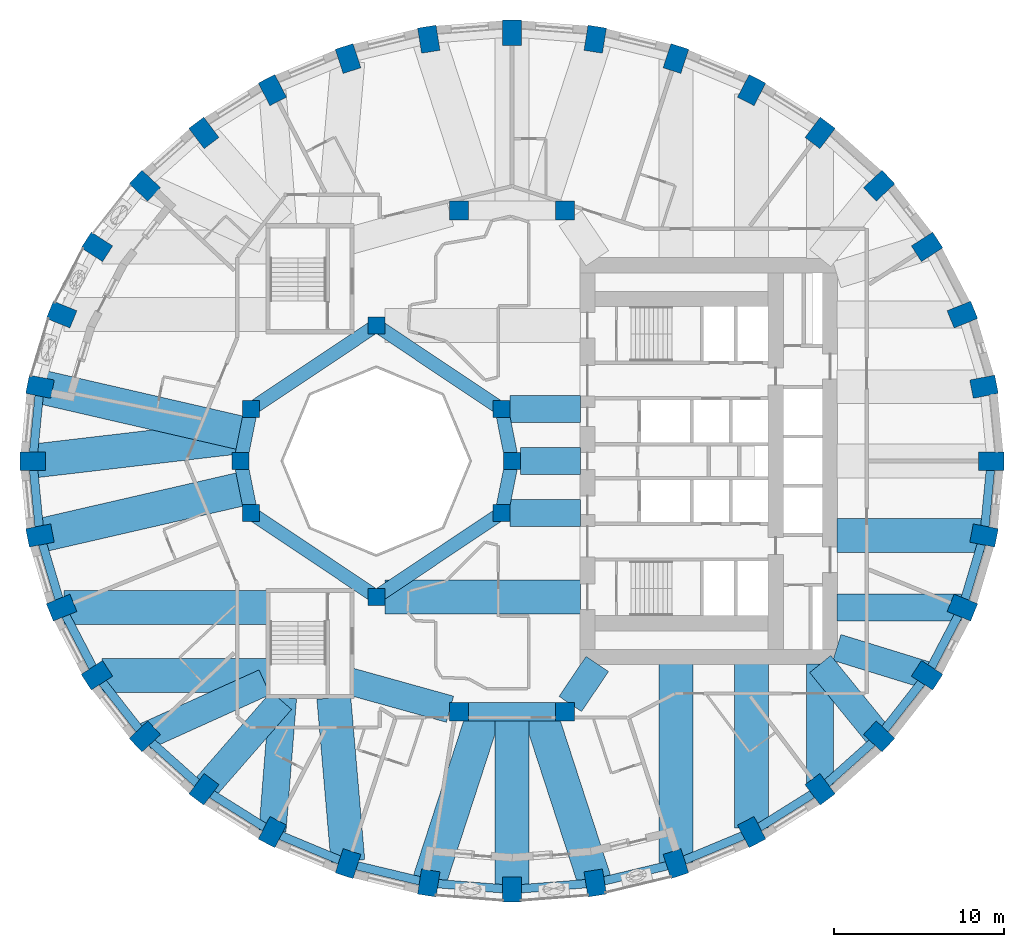
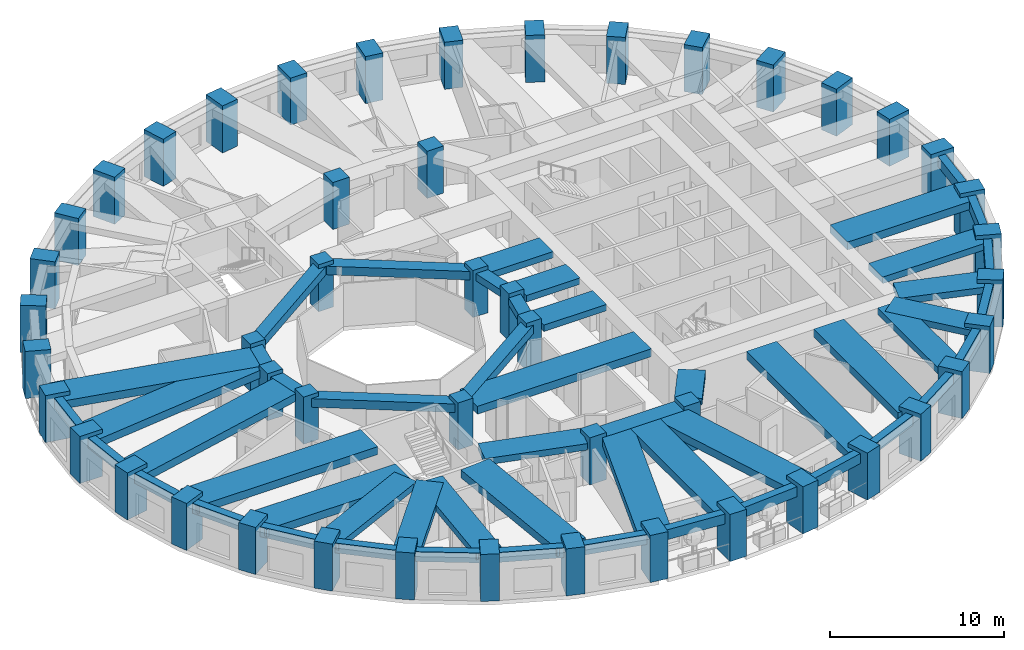
# One storey, part 1 of 13: 53 beams, 48 columns.
"""IFC4 building model written with IfcOpenShell, lengths in metres."""

from ifc_helpers import new_model, si_unit, direction, frame, origin, origin_2d, place, context, subcontext, project, spatial, rectangle, extrude, material, material_profile, profile_set, type_object, element, save


model = new_model("IFC4")

# Units and contexts
model_context = context("Model", 3, precision=1e-05, world=origin(), true_north=direction((0.0, 1.0)))
body_context = subcontext(model_context, "Body", "Model", "MODEL_VIEW")
ifc_project = project(units=[si_unit("LENGTHUNIT", "METRE"), si_unit("AREAUNIT", "SQUARE_METRE"), si_unit("VOLUMEUNIT", "CUBIC_METRE"), si_unit("PLANEANGLEUNIT", "RADIAN"), si_unit("MASSUNIT", "GRAM", prefix="KILO")], contexts=[model_context])

# Site, building, storey
site_placement = place(None, origin())
site = spatial("IfcSite", under=ifc_project, at=site_placement, CompositionType="ELEMENT")
building_placement = place(site_placement, origin())
building = spatial("IfcBuilding", under=site, at=building_placement, Name="Taillehof Tower", CompositionType="ELEMENT")
storey_placement = place(building_placement, frame((0.0, 0.0, 77.800048828125)))
storey = spatial("IfcBuildingStorey", under=building, at=storey_placement, Name="L21", CompositionType="ELEMENT", Elevation=77.800048828125)

# Columns
ifc_material_1 = material(Name="Concrete C50/60", Category="concrete")
ifc_material_profile_1 = material_profile(ifc_material_1, rectangle(XDim=1.0, YDim=1.0, at=origin_2d()), Name="RC 1000x1000")
ifc_profile_set_1 = profile_set([ifc_material_profile_1], Name="Concrete C50/60")
column_type_1 = type_object("IfcColumnType", Name="Atrium ring column C50/60 1000x1000", PredefinedType="COLUMN", material=ifc_profile_set_1)
for number, where, z_axis, x_axis, name in (
    (1, (0.0, 0.0, 0.0), (0.0, 0.0, 1.0), (1.0, 0.0, 0.0), "Column AC01"),
    (2, (-0.60888671875, 3.0615234375, 0.0), (0.0, 0.0, 1.0), (1.0, 0.0, 0.0), "Column AC02"),
    (3, (-8.0, 8.0, 0.0), (0.0, 0.0, 1.0), (1.0, 0.0, 0.0), "Column AC05"),
    (4, (-15.39111328125, 3.0615234375, 0.0), (0.0, 0.0, 1.0), (1.0, 0.0, 0.0), "Column AC08"),
    (5, (-16.0, 0.0, 0.0), (0.0, 0.0, 1.0), (1.0, 0.0, 0.0), "Column AC09"),
    (6, (-15.39111328125, -3.0615234375, 0.0), (0.0, 0.0, 1.0), (1.0, 0.0, 0.0), "Column AC10"),
    (7, (-8.0, -8.0, 0.0), (0.0, 0.0, 1.0), (1.0, 0.0, 0.0), "Column AC13"),
    (8, (-0.60888671875, -3.0615234375, 0.0), (0.0, 0.0, 1.0), (1.0, 0.0, 0.0), "Column AC16"),
):
    element("IfcColumn", number, at=place(storey_placement, frame(where, z_axis=z_axis, x_axis=x_axis)), inside=storey, type_object=column_type_1, Name=name, PredefinedType="COLUMN", context=body_context, shape_type="SweptSolid", body=[
        extrude(rectangle(XDim=1.0, YDim=1.0, at=origin_2d()), origin(), (0.0, 0.0, 1.0), 3.300048828125),
    ])
ifc_material_2 = material(Name="Concrete C50/60", Category="concrete")
ifc_material_profile_2 = material_profile(ifc_material_2, rectangle(XDim=1.10009765625, YDim=1.10009765625, at=origin_2d()), Name="RC 1100x1100")
ifc_profile_set_2 = profile_set([ifc_material_profile_2], Name="Concrete C50/60")
column_type_2 = type_object("IfcColumnType", Name="Mid-ring column C50/60 1100x1100", PredefinedType="COLUMN", material=ifc_profile_set_2)
for number, where, z_axis, x_axis, name in (
    (9, (3.125732421875, 14.772216796875, 0.0), (0.0, 0.0, 1.0), (1.0, 0.0, 0.0), "Column MC05"),
    (10, (3.125732421875, -14.772216796875, 0.0), (0.0, 0.0, 1.0), (1.0, 0.0, 0.0), "Column MC15"),
):
    element("IfcColumn", number, at=place(storey_placement, frame(where, z_axis=z_axis, x_axis=x_axis)), inside=storey, type_object=column_type_2, Name=name, PredefinedType="COLUMN", context=body_context, shape_type="SweptSolid", body=[
        extrude(rectangle(XDim=1.10009765625, YDim=1.10009765625, at=origin_2d()), origin(), (0.0, 0.0, 1.0), 3.300048828125),
    ])
ifc_material_3 = material(Name="Concrete C60/75", Category="concrete")
ifc_material_profile_3 = material_profile(ifc_material_3, rectangle(XDim=1.10009765625, YDim=1.10009765625, at=origin_2d()), Name="RC 1100x1100")
ifc_profile_set_3 = profile_set([ifc_material_profile_3], Name="Concrete C60/75")
column_type_3 = type_object("IfcColumnType", Name="Mid-ring column C60/75 1100x1100", PredefinedType="COLUMN", material=ifc_profile_set_3)
for number, where, z_axis, x_axis, name in (
    (11, (-3.125732421875, 14.772216796875, 0.0), (0.0, 0.0, 1.0), (1.0, 0.0, 0.0), "Column MC06"),
    (12, (-3.125732421875, -14.772216796875, 0.0), (0.0, 0.0, 1.0), (1.0, 0.0, 0.0), "Column MC14"),
):
    element("IfcColumn", number, at=place(storey_placement, frame(where, z_axis=z_axis, x_axis=x_axis)), inside=storey, type_object=column_type_3, Name=name, PredefinedType="COLUMN", context=body_context, shape_type="SweptSolid", body=[
        extrude(rectangle(XDim=1.10009765625, YDim=1.10009765625, at=origin_2d()), origin(), (0.0, 0.0, 1.0), 3.300048828125),
    ])
ifc_material_4 = material(Name="Concrete C70/85", Category="concrete")
ifc_material_profile_4 = material_profile(ifc_material_4, rectangle(XDim=1.5, YDim=1.10009765625, at=origin_2d()), Name="RC 1500x1100")
ifc_profile_set_4 = profile_set([ifc_material_profile_4], Name="Concrete C70/85")
column_type_4 = type_object("IfcColumnType", Name="Ring column C70/85 1500x1100", PredefinedType="COLUMN", material=ifc_profile_set_4)
for number, where, z_axis, x_axis, name in (
    (13, (28.25, 0.0, 0.0), (0.0, 0.0, 1.0), (1.0, 0.0, 0.0), "Ring column RC01"),
    (14, (27.82080078125, 4.384521484375, 0.0), (0.0, 0.0, 1.0), (0.98120354895, 0.192975634545, 0.0), "Ring column RC02"),
    (15, (26.54638671875, 8.635986328125, 0.0), (0.0, 0.0, 1.0), (0.926558045297, 0.37615181602, 0.0), "Ring column RC03"),
    (16, (24.46533203125, 12.625, 0.0), (0.0, 0.0, 1.0), (0.840753565229, 0.541417992456, 0.0), "Ring column RC04"),
    (17, (21.640869140625, 16.23046875, 0.0), (0.0, 0.0, 1.0), (0.730113022917, 0.683326403535, 0.0), "Ring column RC05"),
    (18, (18.15869140625, 19.342529296875, 0.0), (0.0, 0.0, 1.0), (0.601173783055, 0.79911831575, 0.0), "Ring column RC06"),
    (19, (14.125, 21.8671875, 0.0), (0.0, 0.0, 1.0), (0.459691308511, 0.888078769524, 0.0), "Ring column RC07"),
    (20, (9.662109375, 23.727294921875, 0.0), (0.0, 0.0, 1.0), (0.310219183529, 0.950665060981, 0.0), "Ring column RC08"),
    (21, (4.905517578125, 24.866455078125, 0.0), (0.0, 0.0, 1.0), (0.15614709407, 0.987733812833, 0.0), "Ring column RC09"),
    (22, (0.0, 25.25, 0.0), (0.0, 0.0, 1.0), (0.0, 1.0, 0.0), "Ring column RC10"),
    (23, (-4.905517578125, 24.866455078125, 0.0), (0.0, 0.0, 1.0), (-0.15614709407, 0.987733812833, 0.0), "Ring column RC11"),
    (24, (-9.662109375, 23.727294921875, 0.0), (0.0, 0.0, 1.0), (-0.310219183529, 0.950665060981, 0.0), "Ring column RC12"),
    (25, (-14.125, 21.8671875, 0.0), (0.0, 0.0, 1.0), (-0.459691308511, 0.888078769524, 0.0), "Ring column RC13"),
    (26, (-18.15869140625, 19.342529296875, 0.0), (0.0, 0.0, 1.0), (-0.601173783055, 0.79911831575, 0.0), "Ring column RC14"),
    (27, (-21.640869140625, 16.23046875, 0.0), (0.0, 0.0, 1.0), (-0.730113022917, 0.683326403535, 0.0), "Ring column RC15"),
    (28, (-24.46533203125, 12.625, 0.0), (0.0, 0.0, 1.0), (-0.840753565229, 0.541417992456, 0.0), "Ring column RC16"),
    (29, (-26.54638671875, 8.635986328125, 0.0), (0.0, 0.0, 1.0), (-0.926558045297, 0.37615181602, 0.0), "Ring column RC17"),
    (30, (-27.82080078125, 4.384521484375, 0.0), (0.0, 0.0, 1.0), (-0.98120354895, 0.192975634545, 0.0), "Ring column RC18"),
    (31, (-28.25, 0.0, 0.0), (0.0, 0.0, 1.0), (-1.0, 0.0, 0.0), "Ring column RC19"),
    (32, (-27.82080078125, -4.384521484375, 0.0), (0.0, 0.0, 1.0), (-0.98120354895, -0.192975634545, 0.0), "Ring column RC20"),
    (33, (-26.54638671875, -8.635986328125, 0.0), (0.0, 0.0, 1.0), (-0.926558045297, -0.37615181602, 0.0), "Ring column RC21"),
    (34, (-24.46533203125, -12.625, 0.0), (0.0, 0.0, 1.0), (-0.840753565229, -0.541417992456, 0.0), "Ring column RC22"),
    (35, (-21.640869140625, -16.23046875, 0.0), (0.0, 0.0, 1.0), (-0.730113022917, -0.683326403535, 0.0), "Ring column RC23"),
    (36, (-18.15869140625, -19.342529296875, 0.0), (0.0, 0.0, 1.0), (-0.601173783055, -0.79911831575, 0.0), "Ring column RC24"),
    (37, (-14.125, -21.8671875, 0.0), (0.0, 0.0, 1.0), (-0.459691308511, -0.888078769524, 0.0), "Ring column RC25"),
    (38, (-9.662109375, -23.727294921875, 0.0), (0.0, 0.0, 1.0), (-0.310219183529, -0.950665060981, 0.0), "Ring column RC26"),
    (39, (-4.905517578125, -24.866455078125, 0.0), (0.0, 0.0, 1.0), (-0.15614709407, -0.987733812833, 0.0), "Ring column RC27"),
    (40, (0.0, -25.25, 0.0), (0.0, 0.0, 1.0), (0.0, -1.0, 0.0), "Ring column RC28"),
    (41, (4.905517578125, -24.866455078125, 0.0), (0.0, 0.0, 1.0), (0.15614709407, -0.987733812833, 0.0), "Ring column RC29"),
    (42, (9.662109375, -23.727294921875, 0.0), (0.0, 0.0, 1.0), (0.310219183529, -0.950665060981, 0.0), "Ring column RC30"),
    (43, (14.125, -21.8671875, 0.0), (0.0, 0.0, 1.0), (0.459691308511, -0.888078769524, 0.0), "Ring column RC31"),
    (44, (18.15869140625, -19.342529296875, 0.0), (0.0, 0.0, 1.0), (0.601173783055, -0.79911831575, 0.0), "Ring column RC32"),
    (45, (21.640869140625, -16.23046875, 0.0), (0.0, 0.0, 1.0), (0.730113022917, -0.683326403535, 0.0), "Ring column RC33"),
    (46, (24.46533203125, -12.625, 0.0), (0.0, 0.0, 1.0), (0.840753565229, -0.541417992456, 0.0), "Ring column RC34"),
    (47, (26.54638671875, -8.635986328125, 0.0), (0.0, 0.0, 1.0), (0.926558045297, -0.37615181602, 0.0), "Ring column RC35"),
    (48, (27.82080078125, -4.384521484375, 0.0), (0.0, 0.0, 1.0), (0.98120354895, -0.192975634545, 0.0), "Ring column RC36"),
):
    element("IfcColumn", number, at=place(storey_placement, frame(where, z_axis=z_axis, x_axis=x_axis)), inside=storey, type_object=column_type_4, Name=name, PredefinedType="COLUMN", context=body_context, shape_type="SweptSolid", body=[
        extrude(rectangle(XDim=1.5, YDim=1.10009765625, at=origin_2d()), origin(), (0.0, 0.0, 1.0), 3.300048828125),
    ])

# Beams
ifc_material_5 = material(Name="Concrete C50/60", Category="concrete")
ifc_material_profile_5 = material_profile(ifc_material_5, rectangle(XDim=0.800048828125, YDim=0.5, at=origin_2d()), Name="RC 800x500")
ifc_profile_set_5 = profile_set([ifc_material_profile_5], Name="Concrete C50/60")
beam_type_1 = type_object("IfcBeamType", Name="Atrium ring beam C50/60 800x500", PredefinedType="BEAM", material=ifc_profile_set_5)
for number, where, z_axis, x_axis, name in (
    (49, (0.0, 0.0, 2.77001953125), (-0.195063155143, 0.980790683839, 0.0), (-0.980790683839, -0.195063155143, 0.0), "Atrium ring beam AB01"),
    (50, (-15.39111328125, 3.0615234375, 2.77001953125), (-0.195063155143, -0.980790683839, 0.0), (0.980790683839, -0.195063155143, 0.0), "Atrium ring beam AB04"),
    (51, (-16.0, 0.0, 2.77001953125), (0.195063155143, -0.980790683839, 0.0), (0.980790683839, 0.195063155143, 0.0), "Atrium ring beam AB05"),
    (52, (-0.60888671875, -3.0615234375, 2.77001953125), (0.195063155143, 0.980790683839, 0.0), (-0.980790683839, 0.195063155143, 0.0), "Atrium ring beam AB08"),
):
    element("IfcBeam", number, at=place(storey_placement, frame(where, z_axis=z_axis, x_axis=x_axis)), inside=storey, type_object=beam_type_1, Name=name, PredefinedType="BEAM", context=body_context, shape_type="SweptSolid", body=[
        extrude(rectangle(XDim=0.800048828125, YDim=0.5, at=origin_2d()), origin(), (0.0, 0.0, 1.0), 3.12158203125),
    ])
ifc_material_6 = material(Name="Concrete C50/60", Category="concrete")
ifc_material_profile_6 = material_profile(ifc_material_6, rectangle(XDim=0.800048828125, YDim=0.60009765625, at=origin_2d()), Name="RC 800x600")
ifc_profile_set_6 = profile_set([ifc_material_profile_6], Name="Concrete C50/60")
beam_type_2 = type_object("IfcBeamType", Name="Atrium ring beam C50/60 800x600", PredefinedType="BEAM", material=ifc_profile_set_6)
for number, where, z_axis, x_axis, name in (
    (53, (-0.60888671875, 3.0615234375, 2.719970703125), (-0.831475195687, 0.555561876804, 0.0), (-0.555561876804, -0.831475195687, 0.0), "Atrium ring beam AB02"),
    (54, (-8.0, 8.0, 2.719970703125), (-0.831475195687, -0.555561876804, 0.0), (0.555561876804, -0.831475195687, 0.0), "Atrium ring beam AB03"),
    (55, (-15.39111328125, -3.0615234375, 2.719970703125), (0.831475195687, -0.555561876804, 0.0), (0.555561876804, 0.831475195687, 0.0), "Atrium ring beam AB06"),
    (56, (-8.0, -8.0, 2.719970703125), (0.831475195687, 0.555561876804, 0.0), (-0.555561876804, 0.831475195687, 0.0), "Atrium ring beam AB07"),
):
    element("IfcBeam", number, at=place(storey_placement, frame(where, z_axis=z_axis, x_axis=x_axis)), inside=storey, type_object=beam_type_2, Name=name, PredefinedType="BEAM", context=body_context, shape_type="SweptSolid", body=[
        extrude(rectangle(XDim=0.800048828125, YDim=0.60009765625, at=origin_2d()), origin(), (0.0, 0.0, 1.0), 8.88916015625),
    ])
ifc_material_7 = material(Name="Concrete C50/60", Category="concrete")
ifc_material_profile_7 = material_profile(ifc_material_7, rectangle(XDim=1.10009765625, YDim=0.60009765625, at=origin_2d()), Name="RC 1100x600")
ifc_profile_set_7 = profile_set([ifc_material_profile_7], Name="Concrete C50/60")
beam_type_3 = type_object("IfcBeamType", Name="Mid-ring beam C50/60 1100x600", PredefinedType="BEAM", material=ifc_profile_set_7)
beam_1_placement = place(storey_placement, frame((-3.125732421875, -14.772216796875, 2.719970703125), z_axis=(1.0, 0.0, 0.0), x_axis=(0.0, 1.0, 0.0)))
element("IfcBeam", 57, at=beam_1_placement, inside=storey, type_object=beam_type_3, Name="Mid-ring beam MB02", PredefinedType="BEAM", context=body_context, shape_type="SweptSolid", body=[
    extrude(rectangle(XDim=1.10009765625, YDim=0.60009765625, at=origin_2d()), origin(), (0.0, 0.0, 1.0), 6.25146484375),
])
ifc_material_8 = material(Name="Concrete C50/60", Category="concrete")
ifc_material_profile_8 = material_profile(ifc_material_8, rectangle(XDim=1.60009765625, YDim=0.449951171875, at=origin_2d()), Name="RC 1600x450")
ifc_profile_set_8 = profile_set([ifc_material_profile_8], Name="Concrete C50/60")
beam_type_4 = type_object("IfcBeamType", Name="Radial band beam C50/60 1600x450", PredefinedType="BEAM", material=ifc_profile_set_8)
beam_2_placement = place(storey_placement, frame((-21.632568359375, -16.226806640625, 2.794921875), z_axis=(0.911100590789, 0.412184077161, 0.0), x_axis=(-0.412184077161, 0.911100590789, 0.0)))
element("IfcBeam", 58, at=beam_2_placement, inside=storey, type_object=beam_type_4, Name="Radial band beam RB23", PredefinedType="BEAM", context=body_context, shape_type="SweptSolid", body=[
    extrude(rectangle(XDim=1.60009765625, YDim=0.449951171875, at=origin_2d()), origin(), (0.0, 0.0, 1.0), 7.740966796875),
])
beam_3_placement = place(storey_placement, frame((-18.15869140625, -19.342529296875, 2.794921875), z_axis=(0.65721824087, 0.753700327628, 0.0), x_axis=(-0.753700327628, 0.65721824087, 0.0)))
element("IfcBeam", 59, at=beam_3_placement, inside=storey, type_object=beam_type_4, Name="Radial band beam RB24", PredefinedType="BEAM", context=body_context, shape_type="SweptSolid", body=[
    extrude(rectangle(XDim=1.60009765625, YDim=0.449951171875, at=origin_2d()), origin(), (0.0, 0.0, 1.0), 6.9384765625),
])
beam_4_placement = place(storey_placement, frame((-14.119873046875, -21.802978515625, 2.794921875), z_axis=(0.079184740988, 0.996859958467, 0.0), x_axis=(-0.996859958467, 0.079184740988, 0.0)))
element("IfcBeam", 60, at=beam_4_placement, inside=storey, type_object=beam_type_4, Name="Radial band beam RB25", PredefinedType="BEAM", context=body_context, shape_type="SweptSolid", body=[
    extrude(rectangle(XDim=1.60009765625, YDim=0.449951171875, at=origin_2d()), origin(), (0.0, 0.0, 1.0), 7.87744140625),
])
beam_5_placement = place(storey_placement, frame((18.15869140625, -19.05517578125, 2.794921875), z_axis=(0.0, 1.0, 0.0), x_axis=(-1.0, 0.0, 0.0)))
element("IfcBeam", 61, at=beam_5_placement, inside=storey, type_object=beam_type_4, Name="Radial band beam RB32", PredefinedType="BEAM", context=body_context, shape_type="SweptSolid", body=[
    extrude(rectangle(XDim=1.60009765625, YDim=0.449951171875, at=origin_2d()), origin(), (0.0, 0.0, 1.0), 7.105224609375),
])
beam_6_placement = place(storey_placement, frame((21.640869140625, -16.23046875, 2.794921875), z_axis=(-0.630988373846, 0.775792286679, 0.0), x_axis=(-0.775792286679, -0.630988373846, 0.0)))
element("IfcBeam", 62, at=beam_6_placement, inside=storey, type_object=beam_type_4, Name="Radial band beam RB33", PredefinedType="BEAM", context=body_context, shape_type="SweptSolid", body=[
    extrude(rectangle(XDim=1.60009765625, YDim=0.449951171875, at=origin_2d()), origin(), (0.0, 0.0, 1.0), 5.503173828125),
])
beam_7_placement = place(storey_placement, frame((24.46533203125, -12.625, 2.794921875), z_axis=(-0.955535654338, 0.294875589511, 0.0), x_axis=(-0.294875589511, -0.955535654338, 0.0)))
element("IfcBeam", 63, at=beam_7_placement, inside=storey, type_object=beam_type_4, Name="Radial band beam RB34", PredefinedType="BEAM", context=body_context, shape_type="SweptSolid", body=[
    extrude(rectangle(XDim=1.60009765625, YDim=0.449951171875, at=origin_2d()), origin(), (0.0, 0.0, 1.0), 5.560546875),
])
beam_8_placement = place(storey_placement, frame((26.490478515625, -8.635986328125, 2.794921875), z_axis=(-1.0, 0.0, 0.0), x_axis=(0.0, -1.0, 0.0)))
element("IfcBeam", 64, at=beam_8_placement, inside=storey, type_object=beam_type_4, Name="Radial band beam RB35", PredefinedType="BEAM", context=body_context, shape_type="SweptSolid", body=[
    extrude(rectangle(XDim=1.60009765625, YDim=0.449951171875, at=origin_2d()), origin(), (0.0, 0.0, 1.0), 7.340576171875),
])
beam_9_placement = place(storey_placement, frame((0.5, 0.0, 2.794921875), z_axis=(1.0, 0.0, 0.0), x_axis=(0.0, 1.0, 0.0)))
element("IfcBeam", 65, at=beam_9_placement, inside=storey, type_object=beam_type_4, Name="Inner band beam IB101", PredefinedType="BEAM", context=body_context, shape_type="SweptSolid", body=[
    extrude(rectangle(XDim=1.60009765625, YDim=0.449951171875, at=origin_2d()), origin(), (0.0, 0.0, 1.0), 3.550048828125),
])
for number, where, z_axis, x_axis, name in (
    (66, (-0.10888671875, 3.0615234375, 2.794921875), (1.0, 0.0, 0.0), (0.0, 1.0, 0.0), "Inner band beam IB102"),
    (67, (-0.10888671875, -3.0615234375, 2.794921875), (1.0, 0.0, 0.0), (0.0, 1.0, 0.0), "Inner band beam IB116"),
):
    element("IfcBeam", number, at=place(storey_placement, frame(where, z_axis=z_axis, x_axis=x_axis)), inside=storey, type_object=beam_type_4, Name=name, PredefinedType="BEAM", context=body_context, shape_type="SweptSolid", body=[
        extrude(rectangle(XDim=1.60009765625, YDim=0.449951171875, at=origin_2d()), origin(), (0.0, 0.0, 1.0), 4.158935546875),
    ])
beam_10_placement = place(storey_placement, frame((-3.655517578125, -14.624755859375, 2.794921875), z_axis=(-0.963459369536, 0.267854518821, 0.0), x_axis=(-0.267854518821, -0.963459369536, 0.0)))
element("IfcBeam", 68, at=beam_10_placement, inside=storey, type_object=beam_type_4, Name="Inner band beam IB214", PredefinedType="BEAM", context=body_context, shape_type="SweptSolid", body=[
    extrude(rectangle(XDim=1.60009765625, YDim=0.449951171875, at=origin_2d()), origin(), (0.0, 0.0, 1.0), 6.096923828125),
])
beam_11_placement = place(storey_placement, frame((3.433837890625, -14.31640625, 2.794921875), z_axis=(0.560112043398, 0.828416862962, 0.0), x_axis=(-0.828416862962, 0.560112043398, 0.0)))
element("IfcBeam", 69, at=beam_11_placement, inside=storey, type_object=beam_type_4, Name="Inner band beam IB215", PredefinedType="BEAM", context=body_context, shape_type="SweptSolid", body=[
    extrude(rectangle(XDim=1.60009765625, YDim=0.449951171875, at=origin_2d()), origin(), (0.0, 0.0, 1.0), 2.84619140625),
])
ifc_material_9 = material(Name="Concrete C50/60", Category="concrete")
ifc_material_profile_9 = material_profile(ifc_material_9, rectangle(XDim=2.0, YDim=0.550048828125, at=origin_2d()), Name="RC 2000x550")
ifc_profile_set_9 = profile_set([ifc_material_profile_9], Name="Concrete C50/60")
beam_type_5 = type_object("IfcBeamType", Name="Radial band beam C50/60 2000x550", PredefinedType="BEAM", material=ifc_profile_set_9)
beam_12_placement = place(storey_placement, frame((-27.82080078125, 4.384521484375, 2.744873046875), z_axis=(0.974509005862, -0.2243483842, 0.0), x_axis=(0.2243483842, 0.974509005862, 0.0)))
element("IfcBeam", 70, at=beam_12_placement, inside=storey, type_object=beam_type_5, Name="Radial band beam RB18", PredefinedType="BEAM", context=body_context, shape_type="SweptSolid", body=[
    extrude(rectangle(XDim=2.0, YDim=0.550048828125, at=origin_2d()), origin(), (0.0, 0.0, 1.0), 12.45458984375),
])
beam_13_placement = place(storey_placement, frame((-28.25, 0.0, 2.744873046875), z_axis=(0.993191188018, 0.11649576835, 0.0), x_axis=(-0.11649576835, 0.993191188018, 0.0)))
element("IfcBeam", 71, at=beam_13_placement, inside=storey, type_object=beam_type_5, Name="Radial band beam RB19", PredefinedType="BEAM", context=body_context, shape_type="SweptSolid", body=[
    extrude(rectangle(XDim=2.0, YDim=0.550048828125, at=origin_2d()), origin(), (0.0, 0.0, 1.0), 12.628662109375),
])
beam_14_placement = place(storey_placement, frame((-27.82080078125, -4.384521484375, 2.744873046875), z_axis=(0.974509005862, 0.2243483842, 0.0), x_axis=(-0.2243483842, 0.974509005862, 0.0)))
element("IfcBeam", 72, at=beam_14_placement, inside=storey, type_object=beam_type_5, Name="Radial band beam RB20", PredefinedType="BEAM", context=body_context, shape_type="SweptSolid", body=[
    extrude(rectangle(XDim=2.0, YDim=0.550048828125, at=origin_2d()), origin(), (0.0, 0.0, 1.0), 12.45458984375),
])
beam_15_placement = place(storey_placement, frame((-26.408935546875, -8.635986328125, 2.744873046875), z_axis=(1.0, 0.0, 0.0), x_axis=(0.0, 1.0, 0.0)))
element("IfcBeam", 73, at=beam_15_placement, inside=storey, type_object=beam_type_5, Name="Radial band beam RB21", PredefinedType="BEAM", context=body_context, shape_type="SweptSolid", body=[
    extrude(rectangle(XDim=2.0, YDim=0.550048828125, at=origin_2d()), origin(), (0.0, 0.0, 1.0), 11.958984375),
])
beam_16_placement = place(storey_placement, frame((-24.172607421875, -12.625, 2.744873046875), z_axis=(1.0, 0.0, 0.0), x_axis=(0.0, 1.0, 0.0)))
element("IfcBeam", 74, at=beam_16_placement, inside=storey, type_object=beam_type_5, Name="Radial band beam RB22", PredefinedType="BEAM", context=body_context, shape_type="SweptSolid", body=[
    extrude(rectangle(XDim=2.0, YDim=0.550048828125, at=origin_2d()), origin(), (0.0, 0.0, 1.0), 9.72265625),
])
beam_17_placement = place(storey_placement, frame((-9.675048828125, -23.575927734375, 2.744873046875), z_axis=(-0.085841202752, 0.996308831593, 0.0), x_axis=(-0.996308831593, -0.085841202752, 0.0)))
element("IfcBeam", 75, at=beam_17_placement, inside=storey, type_object=beam_type_5, Name="Radial band beam RB26", PredefinedType="BEAM", context=body_context, shape_type="SweptSolid", body=[
    extrude(rectangle(XDim=2.0, YDim=0.550048828125, at=origin_2d()), origin(), (0.0, 0.0, 1.0), 9.661376953125),
])
beam_18_placement = place(storey_placement, frame((-4.905517578125, -24.866455078125, 2.744873046875), z_axis=(0.309014294595, 0.951057393503, 0.0), x_axis=(-0.951057393503, 0.309014294595, 0.0)))
element("IfcBeam", 76, at=beam_18_placement, inside=storey, type_object=beam_type_5, Name="Radial band beam RB27", PredefinedType="BEAM", context=body_context, shape_type="SweptSolid", body=[
    extrude(rectangle(XDim=2.0, YDim=0.550048828125, at=origin_2d()), origin(), (0.0, 0.0, 1.0), 10.61376953125),
])
beam_19_placement = place(storey_placement, frame((0.0, -25.25, 2.744873046875), z_axis=(0.0, 1.0, 0.0), x_axis=(-1.0, 0.0, 0.0)))
element("IfcBeam", 77, at=beam_19_placement, inside=storey, type_object=beam_type_5, Name="Radial band beam RB28", PredefinedType="BEAM", context=body_context, shape_type="SweptSolid", body=[
    extrude(rectangle(XDim=2.0, YDim=0.550048828125, at=origin_2d()), origin(), (0.0, 0.0, 1.0), 10.477783203125),
])
beam_20_placement = place(storey_placement, frame((4.905517578125, -24.866455078125, 2.744873046875), z_axis=(-0.309014294595, 0.951057393503, 0.0), x_axis=(-0.951057393503, -0.309014294595, 0.0)))
element("IfcBeam", 78, at=beam_20_placement, inside=storey, type_object=beam_type_5, Name="Radial band beam RB29", PredefinedType="BEAM", context=body_context, shape_type="SweptSolid", body=[
    extrude(rectangle(XDim=2.0, YDim=0.550048828125, at=origin_2d()), origin(), (0.0, 0.0, 1.0), 10.61376953125),
])
beam_21_placement = place(storey_placement, frame((9.662109375, -23.664794921875, 2.744873046875), z_axis=(0.0, 1.0, 0.0), x_axis=(-1.0, 0.0, 0.0)))
element("IfcBeam", 79, at=beam_21_placement, inside=storey, type_object=beam_type_5, Name="Radial band beam RB30", PredefinedType="BEAM", context=body_context, shape_type="SweptSolid", body=[
    extrude(rectangle(XDim=2.0, YDim=0.550048828125, at=origin_2d()), origin(), (0.0, 0.0, 1.0), 11.71484375),
])
beam_22_placement = place(storey_placement, frame((14.125, -21.63232421875, 2.744873046875), z_axis=(0.0, 1.0, 0.0), x_axis=(-1.0, 0.0, 0.0)))
element("IfcBeam", 80, at=beam_22_placement, inside=storey, type_object=beam_type_5, Name="Radial band beam RB31", PredefinedType="BEAM", context=body_context, shape_type="SweptSolid", body=[
    extrude(rectangle(XDim=2.0, YDim=0.550048828125, at=origin_2d()), origin(), (0.0, 0.0, 1.0), 9.682373046875),
])
beam_23_placement = place(storey_placement, frame((27.82080078125, -4.384521484375, 2.744873046875), z_axis=(-1.0, 0.0, 0.0), x_axis=(0.0, -1.0, 0.0)))
element("IfcBeam", 81, at=beam_23_placement, inside=storey, type_object=beam_type_5, Name="Radial band beam RB36", PredefinedType="BEAM", context=body_context, shape_type="SweptSolid", body=[
    extrude(rectangle(XDim=2.0, YDim=0.550048828125, at=origin_2d()), origin(), (0.0, 0.0, 1.0), 8.6708984375),
])
beam_24_placement = place(storey_placement, frame((-7.5, -8.0, 2.744873046875), z_axis=(1.0, 0.0, 0.0), x_axis=(0.0, 1.0, 0.0)))
element("IfcBeam", 82, at=beam_24_placement, inside=storey, type_object=beam_type_5, Name="Inner band beam IB113", PredefinedType="BEAM", context=body_context, shape_type="SweptSolid", body=[
    extrude(rectangle(XDim=2.0, YDim=0.550048828125, at=origin_2d()), origin(), (0.0, 0.0, 1.0), 11.550048828125),
])
ifc_material_10 = material(Name="Concrete C50/60", Category="concrete")
ifc_material_profile_10 = material_profile(ifc_material_10, rectangle(XDim=0.5, YDim=0.699951171875, at=origin_2d()), Name="RC 500x700")
ifc_profile_set_10 = profile_set([ifc_material_profile_10], Name="Concrete C50/60")
beam_type_6 = type_object("IfcBeamType", Name="Spandrel beam C50/60 500x700", PredefinedType="SPANDREL", material=ifc_profile_set_10)
for number, where, z_axis, x_axis, name in (
    (83, (-27.82080078125, 4.384521484375, 2.669921875), (-0.097423973567, -0.99524297002, 0.0), (0.99524297002, -0.097423973567, 0.0), "Spandrel beam SB18"),
    (84, (-28.25, 0.0, 2.669921875), (0.097423973567, -0.99524297002, 0.0), (0.99524297002, 0.097423973567, 0.0), "Spandrel beam SB19"),
):
    element("IfcBeam", number, at=place(storey_placement, frame(where, z_axis=z_axis, x_axis=x_axis)), inside=storey, type_object=beam_type_6, Name=name, PredefinedType="SPANDREL", context=body_context, shape_type="SweptSolid", body=[
        extrude(rectangle(XDim=0.5, YDim=0.699951171875, at=origin_2d()), origin(), (0.0, 0.0, 1.0), 4.405517578125),
    ])
beam_25_placement = place(storey_placement, frame((-27.82080078125, -4.384521484375, 2.669921875), z_axis=(0.287135925407, -0.957889847707, 0.0), x_axis=(0.957889847707, 0.287135925407, 0.0)))
element("IfcBeam", 85, at=beam_25_placement, inside=storey, type_object=beam_type_6, Name="Spandrel beam SB20", PredefinedType="SPANDREL", context=body_context, shape_type="SweptSolid", body=[
    extrude(rectangle(XDim=0.5, YDim=0.699951171875, at=origin_2d()), origin(), (0.0, 0.0, 1.0), 4.4384765625),
])
beam_26_placement = place(storey_placement, frame((-26.54638671875, -8.635986328125, 2.669921875), z_axis=(0.462536335232, -0.886600326297, 0.0), x_axis=(0.886600326297, 0.462536335232, 0.0)))
element("IfcBeam", 86, at=beam_26_placement, inside=storey, type_object=beam_type_6, Name="Spandrel beam SB21", PredefinedType="SPANDREL", context=body_context, shape_type="SweptSolid", body=[
    extrude(rectangle(XDim=0.5, YDim=0.699951171875, at=origin_2d()), origin(), (0.0, 0.0, 1.0), 4.499267578125),
])
beam_27_placement = place(storey_placement, frame((-24.46533203125, -12.625, 2.669921875), z_axis=(0.616686200373, -0.787209076593, 0.0), x_axis=(0.787209076593, 0.616686200373, 0.0)))
element("IfcBeam", 87, at=beam_27_placement, inside=storey, type_object=beam_type_6, Name="Spandrel beam SB22", PredefinedType="SPANDREL", context=body_context, shape_type="SweptSolid", body=[
    extrude(rectangle(XDim=0.5, YDim=0.699951171875, at=origin_2d()), origin(), (0.0, 0.0, 1.0), 4.580078125),
])
beam_28_placement = place(storey_placement, frame((-21.640869140625, -16.23046875, 2.669921875), z_axis=(0.745621283614, -0.666369943366, 0.0), x_axis=(0.666369943366, 0.745621283614, 0.0)))
element("IfcBeam", 88, at=beam_28_placement, inside=storey, type_object=beam_type_6, Name="Spandrel beam SB23", PredefinedType="SPANDREL", context=body_context, shape_type="SweptSolid", body=[
    extrude(rectangle(XDim=0.5, YDim=0.699951171875, at=origin_2d()), origin(), (0.0, 0.0, 1.0), 4.670166015625),
])
beam_29_placement = place(storey_placement, frame((-18.15869140625, -19.342529296875, 2.669921875), z_axis=(0.847658018883, -0.530543007703, 0.0), x_axis=(0.530543007703, 0.847658018883, 0.0)))
element("IfcBeam", 89, at=beam_29_placement, inside=storey, type_object=beam_type_6, Name="Spandrel beam SB24", PredefinedType="SPANDREL", context=body_context, shape_type="SweptSolid", body=[
    extrude(rectangle(XDim=0.5, YDim=0.699951171875, at=origin_2d()), origin(), (0.0, 0.0, 1.0), 4.758544921875),
])
beam_30_placement = place(storey_placement, frame((-14.125, -21.8671875, 2.669921875), z_axis=(0.923035088053, -0.384715773297, 0.0), x_axis=(0.384715773297, 0.923035088053, 0.0)))
element("IfcBeam", 90, at=beam_30_placement, inside=storey, type_object=beam_type_6, Name="Spandrel beam SB25", PredefinedType="SPANDREL", context=body_context, shape_type="SweptSolid", body=[
    extrude(rectangle(XDim=0.5, YDim=0.699951171875, at=origin_2d()), origin(), (0.0, 0.0, 1.0), 4.8349609375),
])
beam_31_placement = place(storey_placement, frame((-9.662109375, -23.727294921875, 2.669921875), z_axis=(0.9724995553, -0.232904733616, 0.0), x_axis=(0.232904733616, 0.9724995553, 0.0)))
element("IfcBeam", 91, at=beam_31_placement, inside=storey, type_object=beam_type_6, Name="Spandrel beam SB26", PredefinedType="SPANDREL", context=body_context, shape_type="SweptSolid", body=[
    extrude(rectangle(XDim=0.5, YDim=0.699951171875, at=origin_2d()), origin(), (0.0, 0.0, 1.0), 4.89111328125),
])
for number, where, z_axis, x_axis, name in (
    (92, (-4.905517578125, -24.866455078125, 2.669921875), (0.996957383661, -0.077948541767, 0.0), (0.077948541767, 0.996957383661, 0.0), "Spandrel beam SB27"),
    (93, (0.0, -25.25, 2.669921875), (0.996957383661, 0.077948541767, 0.0), (-0.077948541767, 0.996957383661, 0.0), "Spandrel beam SB28"),
):
    element("IfcBeam", number, at=place(storey_placement, frame(where, z_axis=z_axis, x_axis=x_axis)), inside=storey, type_object=beam_type_6, Name=name, PredefinedType="SPANDREL", context=body_context, shape_type="SweptSolid", body=[
        extrude(rectangle(XDim=0.5, YDim=0.699951171875, at=origin_2d()), origin(), (0.0, 0.0, 1.0), 4.92041015625),
    ])
beam_32_placement = place(storey_placement, frame((4.905517578125, -24.866455078125, 2.669921875), z_axis=(0.9724995553, 0.232904733616, 0.0), x_axis=(-0.232904733616, 0.9724995553, 0.0)))
element("IfcBeam", 94, at=beam_32_placement, inside=storey, type_object=beam_type_6, Name="Spandrel beam SB29", PredefinedType="SPANDREL", context=body_context, shape_type="SweptSolid", body=[
    extrude(rectangle(XDim=0.5, YDim=0.699951171875, at=origin_2d()), origin(), (0.0, 0.0, 1.0), 4.89111328125),
])
beam_33_placement = place(storey_placement, frame((9.662109375, -23.727294921875, 2.669921875), z_axis=(0.923035088053, 0.384715773297, 0.0), x_axis=(-0.384715773297, 0.923035088053, 0.0)))
element("IfcBeam", 95, at=beam_33_placement, inside=storey, type_object=beam_type_6, Name="Spandrel beam SB30", PredefinedType="SPANDREL", context=body_context, shape_type="SweptSolid", body=[
    extrude(rectangle(XDim=0.5, YDim=0.699951171875, at=origin_2d()), origin(), (0.0, 0.0, 1.0), 4.8349609375),
])
beam_34_placement = place(storey_placement, frame((14.125, -21.8671875, 2.669921875), z_axis=(0.847658018883, 0.530543007703, 0.0), x_axis=(-0.530543007703, 0.847658018883, 0.0)))
element("IfcBeam", 96, at=beam_34_placement, inside=storey, type_object=beam_type_6, Name="Spandrel beam SB31", PredefinedType="SPANDREL", context=body_context, shape_type="SweptSolid", body=[
    extrude(rectangle(XDim=0.5, YDim=0.699951171875, at=origin_2d()), origin(), (0.0, 0.0, 1.0), 4.758544921875),
])
beam_35_placement = place(storey_placement, frame((18.15869140625, -19.342529296875, 2.669921875), z_axis=(0.745621283614, 0.666369943366, 0.0), x_axis=(-0.666369943366, 0.745621283614, 0.0)))
element("IfcBeam", 97, at=beam_35_placement, inside=storey, type_object=beam_type_6, Name="Spandrel beam SB32", PredefinedType="SPANDREL", context=body_context, shape_type="SweptSolid", body=[
    extrude(rectangle(XDim=0.5, YDim=0.699951171875, at=origin_2d()), origin(), (0.0, 0.0, 1.0), 4.670166015625),
])
beam_36_placement = place(storey_placement, frame((21.640869140625, -16.23046875, 2.669921875), z_axis=(0.616686200373, 0.787209076593, 0.0), x_axis=(-0.787209076593, 0.616686200373, 0.0)))
element("IfcBeam", 98, at=beam_36_placement, inside=storey, type_object=beam_type_6, Name="Spandrel beam SB33", PredefinedType="SPANDREL", context=body_context, shape_type="SweptSolid", body=[
    extrude(rectangle(XDim=0.5, YDim=0.699951171875, at=origin_2d()), origin(), (0.0, 0.0, 1.0), 4.580078125),
])
beam_37_placement = place(storey_placement, frame((24.46533203125, -12.625, 2.669921875), z_axis=(0.462536335232, 0.886600326297, 0.0), x_axis=(-0.886600326297, 0.462536335232, 0.0)))
element("IfcBeam", 99, at=beam_37_placement, inside=storey, type_object=beam_type_6, Name="Spandrel beam SB34", PredefinedType="SPANDREL", context=body_context, shape_type="SweptSolid", body=[
    extrude(rectangle(XDim=0.5, YDim=0.699951171875, at=origin_2d()), origin(), (0.0, 0.0, 1.0), 4.499267578125),
])
beam_38_placement = place(storey_placement, frame((26.54638671875, -8.635986328125, 2.669921875), z_axis=(0.287135925407, 0.957889847707, 0.0), x_axis=(-0.957889847707, 0.287135925407, 0.0)))
element("IfcBeam", 100, at=beam_38_placement, inside=storey, type_object=beam_type_6, Name="Spandrel beam SB35", PredefinedType="SPANDREL", context=body_context, shape_type="SweptSolid", body=[
    extrude(rectangle(XDim=0.5, YDim=0.699951171875, at=origin_2d()), origin(), (0.0, 0.0, 1.0), 4.4384765625),
])
beam_39_placement = place(storey_placement, frame((27.82080078125, -4.384521484375, 2.669921875), z_axis=(0.097423973567, 0.99524297002, 0.0), x_axis=(-0.99524297002, 0.097423973567, 0.0)))
element("IfcBeam", 101, at=beam_39_placement, inside=storey, type_object=beam_type_6, Name="Spandrel beam SB36", PredefinedType="SPANDREL", context=body_context, shape_type="SweptSolid", body=[
    extrude(rectangle(XDim=0.5, YDim=0.699951171875, at=origin_2d()), origin(), (0.0, 0.0, 1.0), 4.405517578125),
])

save(model, "model.ifc")
